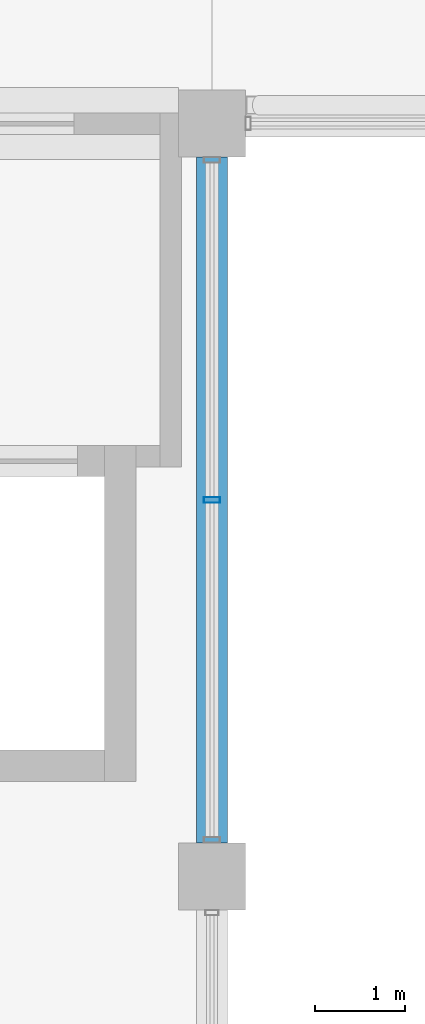
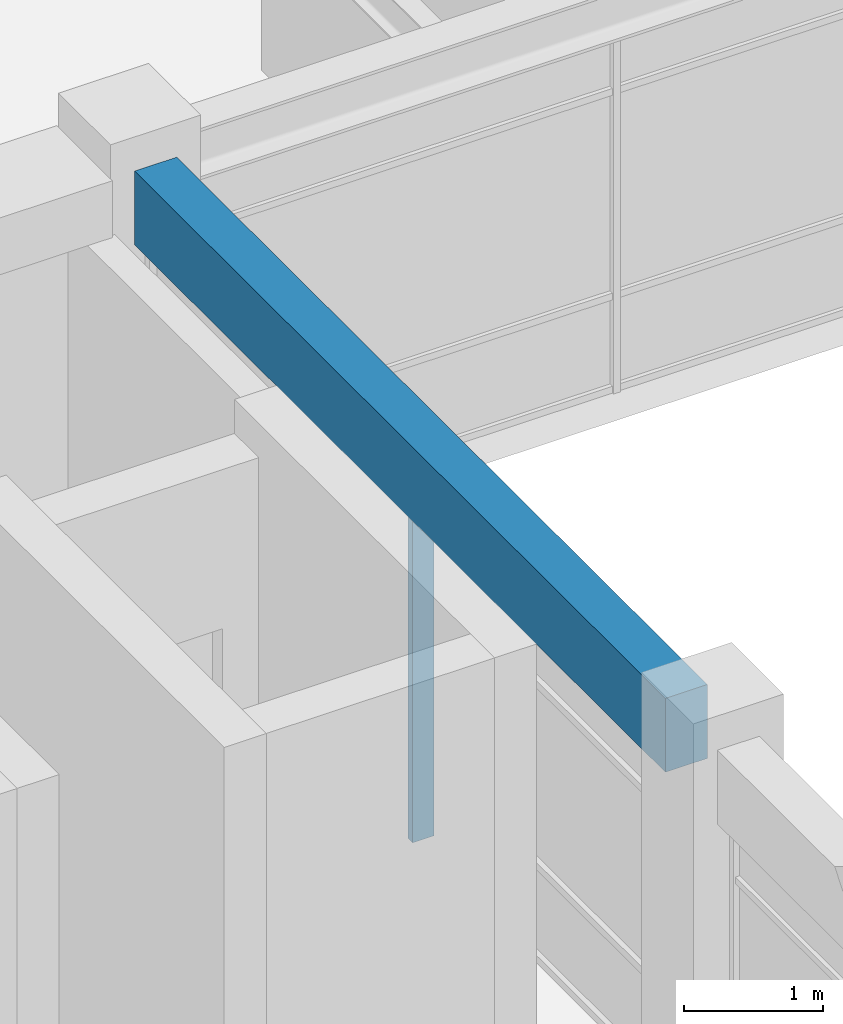
# One storey, part 7 of 72: 1 beam, 1 member, 1 element without a shape of its own.
"""IFC4 building model written with IfcOpenShell, lengths in metres."""

from ifc_helpers import new_model, si_unit, direction, frame, origin, origin_2d, place, context, subcontext, project, spatial, rectangle, hollow_rectangle, extrude, material, material_profile, profile_set, type_object, element, aggregate, save


model = new_model("IFC4")

# Units and contexts
model_context = context("Model", 3, precision=1e-05, world=origin(), true_north=direction((0.0, 1.0)))
body_context = subcontext(model_context, "Body", "Model", "MODEL_VIEW")
ifc_project = project(units=[si_unit("LENGTHUNIT", "METRE"), si_unit("AREAUNIT", "SQUARE_METRE"), si_unit("VOLUMEUNIT", "CUBIC_METRE"), si_unit("PLANEANGLEUNIT", "RADIAN"), si_unit("MASSUNIT", "GRAM", prefix="KILO"), si_unit("THERMODYNAMICTEMPERATUREUNIT", "KELVIN"), si_unit("POWERUNIT", "WATT")], contexts=[model_context])

# Site, building, storey
site_placement = place(None, origin())
site = spatial("IfcSite", under=ifc_project, at=site_placement, CompositionType="ELEMENT")
building_placement = place(site_placement, origin())
building = spatial("IfcBuilding", under=site, at=building_placement, Name="Srebrne Nadtorze General Hospital", CompositionType="ELEMENT")
storey_placement = place(building_placement, frame((0.0, 0.0, 22.199951171875)))
storey = spatial("IfcBuildingStorey", under=building, at=storey_placement, Name="L05", CompositionType="ELEMENT", Elevation=22.199951171875)

# Curtain wall, member
ifc_material_1 = material(Name="Anodised Aluminium", Category="aluminium")
curtain_wall_type = type_object("IfcCurtainWallType", Name="Unitised curtain wall 7650x2950", PredefinedType="NOTDEFINED", material=ifc_material_1)
curtain_wall_placement = place(storey_placement, origin())
curtain_wall = element("IfcCurtainWall", 1, at=curtain_wall_placement, inside=storey, type_object=curtain_wall_type, Name="Curtain wall CW-131", PredefinedType="NOTDEFINED")
ifc_material_2 = material(Name="Anodised Aluminium", Category="aluminium")
ifc_material_profile_1 = material_profile(ifc_material_2, hollow_rectangle(XDim=0.06494140625, YDim=0.179931640625, WallThickness=0.00390625, at=origin_2d()), Name="AL-MUL-65x180")
ifc_profile_set_1 = profile_set([ifc_material_profile_1], Name="Anodised Aluminium")
member_type = type_object("IfcMemberType", Name="Curtain mullion 65x180", PredefinedType="MULLION", material=ifc_profile_set_1)
member_placement = place(storey_placement, frame((54.60009765625, 46.199951171875, 0.0), z_axis=(0.0, 0.0, 1.0), x_axis=(0.0, 1.0, 0.0)))
member = element("IfcMember", 2, at=member_placement, type_object=member_type, Name="CW-131 mullion 2", PredefinedType="MULLION", context=body_context, shape_type="SweptSolid", body=[
    extrude(hollow_rectangle(XDim=0.06494140625, YDim=0.179931640625, WallThickness=0.00390625, at=origin_2d()), origin(), (0.0, 0.0, 1.0), 2.949951171875),
])
aggregate(curtain_wall, [member])

# Beam
ifc_material_3 = material(Name="Concrete C35/45", Category="concrete")
ifc_material_profile_2 = material_profile(ifc_material_3, rectangle(XDim=0.35009765625, YDim=0.64990234375, at=origin_2d()), Name="RC-BM-350x650")
ifc_profile_set_2 = profile_set([ifc_material_profile_2], Name="Concrete C35/45")
beam_type = type_object("IfcBeamType", Name="Edge beam RC 350x650", PredefinedType="BEAM", material=ifc_profile_set_2)
beam_placement = place(storey_placement, frame((54.60009765625, 42.375, 3.275146484375), z_axis=(0.0, 1.0, 0.0), x_axis=(-1.0, 0.0, 0.0)))
element("IfcBeam", 3, at=beam_placement, inside=storey, type_object=beam_type, Name="Beam BM-L05-Y-1083", PredefinedType="BEAM", context=body_context, shape_type="SweptSolid", body=[
    extrude(rectangle(XDim=0.35009765625, YDim=0.64990234375, at=origin_2d()), origin(), (0.0, 0.0, 1.0), 7.64990234375),
])

save(model, "model.ifc")
